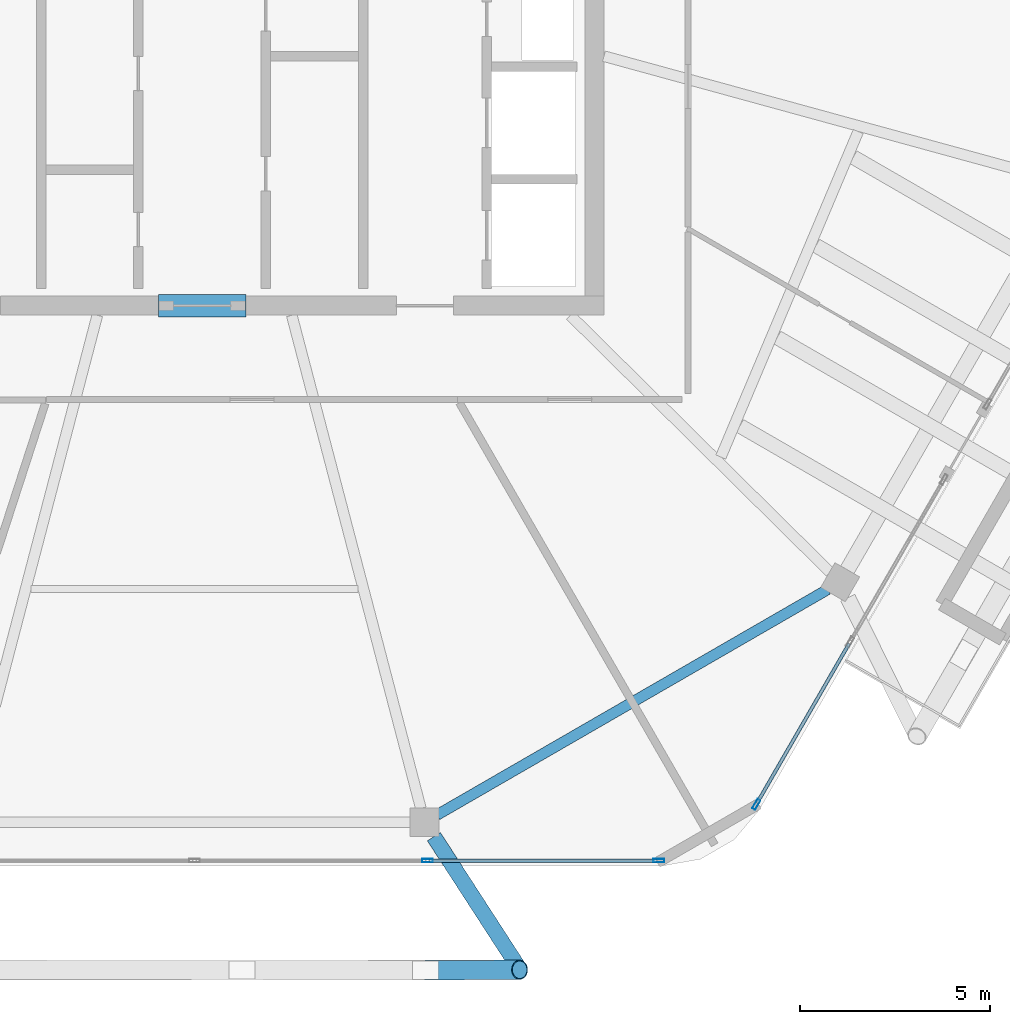
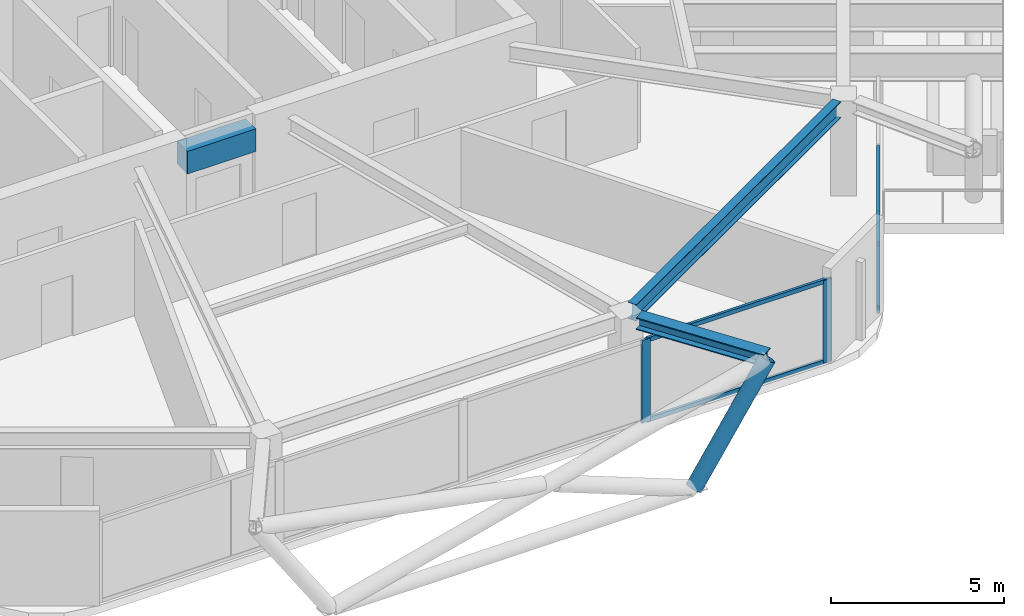
# One storey, part 7 of 23: 8 members, 3 beams, 2 elements without a shape of their own.
"""IFC4 building model written with IfcOpenShell, lengths in metres."""

from ifc_helpers import new_model, si_unit, direction, frame, origin, origin_2d, place, context, subcontext, project, spatial, rectangle, hollow_rectangle, hollow_circle, i_section, extrude, material, material_profile, profile_set, type_object, element, aggregate, save


model = new_model("IFC4")

# Units and contexts
model_context = context("Model", 3, precision=1e-05, world=origin(), true_north=direction((0.0, 1.0)))
body_context = subcontext(model_context, "Body", "Model", "MODEL_VIEW")
ifc_project = project(units=[si_unit("LENGTHUNIT", "METRE"), si_unit("AREAUNIT", "SQUARE_METRE"), si_unit("VOLUMEUNIT", "CUBIC_METRE"), si_unit("PLANEANGLEUNIT", "RADIAN"), si_unit("MASSUNIT", "GRAM", prefix="KILO")], contexts=[model_context])

# Site, building, storey
site_placement = place(None, origin())
site = spatial("IfcSite", under=ifc_project, at=site_placement, CompositionType="ELEMENT")
building_placement = place(site_placement, origin())
building = spatial("IfcBuilding", under=site, at=building_placement, Name="Zuhravey Tower", CompositionType="ELEMENT")
storey_placement = place(building_placement, frame((0.0, 0.0, 353.800048828125)))
storey = spatial("IfcBuildingStorey", under=building, at=storey_placement, Name="L90", CompositionType="ELEMENT", Elevation=353.800048828125)

# Beam
ifc_material_1 = material(Name="Concrete C50/60", Category="concrete")
ifc_material_profile_1 = material_profile(ifc_material_1, rectangle(XDim=0.60009765625, YDim=0.800048828125, at=origin_2d()), Name="RC-600x800")
ifc_profile_set_1 = profile_set([ifc_material_profile_1], Name="Concrete C50/60")
beam_type_1 = type_object("IfcBeamType", Name="Core Coupling Beam RC600x800", PredefinedType="LINTEL", material=ifc_profile_set_1)
beam_1_placement = place(storey_placement, frame((35.052001953125, 22.5, 2.949951171875), z_axis=(1.0, 0.0, 0.0), x_axis=(0.0, 1.0, 0.0)))
element("IfcBeam", 1, at=beam_1_placement, inside=storey, type_object=beam_type_1, Name="L90 CB2 BM-L90-CB-S", PredefinedType="LINTEL", context=body_context, shape_type="SweptSolid", body=[
    extrude(rectangle(XDim=0.60009765625, YDim=0.800048828125, at=origin_2d()), origin(), (0.0, 0.0, 1.0), 2.2958984375),
])

# Curtain wall, member
ifc_material_2 = material(Name="Thermally broken anodised aluminium", Category="aluminium")
curtain_wall_type = type_object("IfcCurtainWallType", Name="Zone 3-4 High-Rise Curtain Wall CW4", PredefinedType="NOTDEFINED", material=ifc_material_2)
curtain_wall_1_placement = place(storey_placement, origin())
curtain_wall_1 = element("IfcCurtainWall", 2, at=curtain_wall_1_placement, inside=storey, type_object=curtain_wall_type, Name="L90 CW4 CW-L90-F6-2", PredefinedType="NOTDEFINED")
ifc_material_3 = material(Name="Anodised aluminium", Category="aluminium")
ifc_material_profile_2 = material_profile(ifc_material_3, hollow_rectangle(XDim=0.090087890625, YDim=0.284912109375, WallThickness=0.0048828125, at=origin_2d()), Name="ALU-RHS-90x285x5")
ifc_profile_set_2 = profile_set([ifc_material_profile_2], Name="Anodised aluminium")
member_type_1 = type_object("IfcMemberType", Name="Curtain-Wall Mullion 90x180", PredefinedType="MULLION", material=ifc_profile_set_2)
member_1_placement = place(storey_placement, frame((50.751708984375, 9.40234375, 0.0), z_axis=(0.0, 0.0, 1.0), x_axis=(0.866023570197, -0.500003175854, 0.0)))
member_1 = element("IfcMember", 3, at=member_1_placement, type_object=member_type_1, Name="CW4 mullion 3", PredefinedType="MULLION", context=body_context, shape_type="SweptSolid", body=[
    extrude(hollow_rectangle(XDim=0.090087890625, YDim=0.284912109375, WallThickness=0.0048828125, at=origin_2d()), origin(), (0.0, 0.0, 1.0), 2.3798828125),
])

# Curtain wall, members
curtain_wall_2_placement = place(storey_placement, origin())
curtain_wall_2 = element("IfcCurtainWall", 4, at=curtain_wall_2_placement, inside=storey, type_object=curtain_wall_type, Name="L90 CW4 CW-L90-F5-1", PredefinedType="NOTDEFINED")
member_2_placement = place(storey_placement, frame((48.1943359375, 7.92578125, 0.0), z_axis=(0.0, 0.0, 1.0), x_axis=(0.0, -1.0, 0.0)))
member_2 = element("IfcMember", 5, at=member_2_placement, type_object=member_type_1, Name="CW4 mullion 1", PredefinedType="MULLION", context=body_context, shape_type="SweptSolid", body=[
    extrude(hollow_rectangle(XDim=0.090087890625, YDim=0.284912109375, WallThickness=0.0048828125, at=origin_2d()), origin(), (0.0, 0.0, 1.0), 2.921875),
])
member_3_placement = place(storey_placement, frame((42.11962890625, 7.92578125, 0.0), z_axis=(0.0, 0.0, 1.0), x_axis=(0.0, -1.0, 0.0)))
member_3 = element("IfcMember", 6, at=member_3_placement, type_object=member_type_1, Name="CW4 mullion 2", PredefinedType="MULLION", context=body_context, shape_type="SweptSolid", body=[
    extrude(hollow_rectangle(XDim=0.090087890625, YDim=0.284912109375, WallThickness=0.0048828125, at=origin_2d()), origin(), (0.0, 0.0, 1.0), 2.921875),
])

# Member
ifc_material_profile_3 = material_profile(ifc_material_3, hollow_rectangle(XDim=0.090087890625, YDim=0.14990234375, WallThickness=0.0048828125, at=origin_2d()), Name="ALU-RHS-90x150x5")
ifc_profile_set_3 = profile_set([ifc_material_profile_3], Name="Anodised aluminium")
member_type_2 = type_object("IfcMemberType", Name="Curtain-Wall Transom 90x150", PredefinedType="USERDEFINED", material=ifc_profile_set_3)
member_4_placement = place(storey_placement, frame((53.19140625, 13.628173828125, 0.044921875), z_axis=(-0.50000076635, -0.866024961331, 0.0), x_axis=(0.866024961331, -0.50000076635, 0.0)))
member_4 = element("IfcMember", 7, at=member_4_placement, type_object=member_type_2, Name="CW4 transom 2.1", ObjectType="TRANSOM", PredefinedType="USERDEFINED", context=body_context, shape_type="SweptSolid", body=[
    extrude(hollow_rectangle(XDim=0.090087890625, YDim=0.14990234375, WallThickness=0.0048828125, at=origin_2d()), origin(), (0.0, 0.0, 1.0), 4.83447265625),
])

member_5_placement = place(storey_placement, frame((53.19140625, 13.628173828125, 2.3349609375), z_axis=(-0.50000076635, -0.866024961331, 0.0), x_axis=(0.866024961331, -0.50000076635, 0.0)))
member_5 = element("IfcMember", 8, at=member_5_placement, type_object=member_type_2, Name="CW4 transom 2.2", ObjectType="TRANSOM", PredefinedType="USERDEFINED", context=body_context, shape_type="SweptSolid", body=[
    extrude(hollow_rectangle(XDim=0.090087890625, YDim=0.14990234375, WallThickness=0.0048828125, at=origin_2d()), origin(), (0.0, 0.0, 1.0), 4.83447265625),
])

aggregate(curtain_wall_1, [member_1, member_4, member_5])

member_6_placement = place(storey_placement, frame((48.1494140625, 7.92578125, 0.044921875), z_axis=(-1.0, 0.0, 0.0), x_axis=(0.0, -1.0, 0.0)))
member_6 = element("IfcMember", 9, at=member_6_placement, type_object=member_type_2, Name="CW4 transom 1.1", ObjectType="TRANSOM", PredefinedType="USERDEFINED", context=body_context, shape_type="SweptSolid", body=[
    extrude(hollow_rectangle(XDim=0.090087890625, YDim=0.14990234375, WallThickness=0.0048828125, at=origin_2d()), origin(), (0.0, 0.0, 1.0), 5.98486328125),
])

member_7_placement = place(storey_placement, frame((48.1494140625, 7.92578125, 2.876953125), z_axis=(-1.0, 0.0, 0.0), x_axis=(0.0, -1.0, 0.0)))
member_7 = element("IfcMember", 10, at=member_7_placement, type_object=member_type_2, Name="CW4 transom 1.2", ObjectType="TRANSOM", PredefinedType="USERDEFINED", context=body_context, shape_type="SweptSolid", body=[
    extrude(hollow_rectangle(XDim=0.090087890625, YDim=0.14990234375, WallThickness=0.0048828125, at=origin_2d()), origin(), (0.0, 0.0, 1.0), 5.98486328125),
])

aggregate(curtain_wall_2, [member_2, member_3, member_6, member_7])

# Beam
ifc_material_4 = material(Name="Steel SM460", Category="steel")
ifc_material_profile_4 = material_profile(ifc_material_4, i_section(OverallWidth=0.406982421875, OverallDepth=0.427978515625, WebThickness=0.02001953125, FlangeThickness=0.034912109375, at=origin_2d()), Name="H-428x407x20x35")
ifc_profile_set_4 = profile_set([ifc_material_profile_4], Name="Steel SM460")
beam_type_2 = type_object("IfcBeamType", Name="Exoskeleton Node Tie Beam H428x407", PredefinedType="BEAM", material=ifc_profile_set_4)
beam_2_placement = place(storey_placement, frame((42.283935546875, 8.5576171875, 3.135986328125), z_axis=(0.543741302353, -0.839252879718, 0.0), x_axis=(0.839252879718, 0.543741302353, 0.0)))
element("IfcBeam", 11, at=beam_2_placement, inside=storey, type_object=beam_type_2, Name="L90 Exoskeleton Node Tie NT1-10", PredefinedType="BEAM", context=body_context, shape_type="SweptSolid", body=[
    extrude(i_section(OverallWidth=0.406982421875, OverallDepth=0.427978515625, WebThickness=0.02001953125, FlangeThickness=0.034912109375, at=origin_2d()), origin(), (0.0, 0.0, 1.0), 4.1513671875),
])

# Member
ifc_material_5 = material(Name="Steel SM355", Category="steel")
ifc_material_profile_5 = material_profile(ifc_material_5, hollow_circle(Radius=0.25390625, WallThickness=0.02490234375, at=origin_2d()), Name="CHS-508.0x25")
ifc_profile_set_5 = profile_set([ifc_material_profile_5], Name="Steel SM355")
member_type_3 = type_object("IfcMemberType", Name="Exoskeleton Zone 4 Diagrid CHS508x25", PredefinedType="BRACE", material=ifc_profile_set_5)
member_8_placement = place(storey_placement, frame((42.078125, 5.0458984375, -0.5830078125), z_axis=(0.553467274431, 0.00334968784, 0.832864188044), x_axis=(-0.006052076877, 0.999981686015, 0.0)))
element("IfcMember", 12, at=member_8_placement, inside=storey, type_object=member_type_3, Name="L90 Face 5 Diagrid Brace 4", PredefinedType="BRACE", context=body_context, shape_type="SweptSolid", body=[
    extrude(hollow_circle(Radius=0.25390625, WallThickness=0.02490234375, at=origin_2d()), origin(), (0.0, 0.0, 1.0), 4.446044921875),
])

# Beam
ifc_material_profile_6 = material_profile(ifc_material_5, i_section(OverallWidth=0.280029296875, OverallDepth=0.580078125, WebThickness=0.011962890625, FlangeThickness=0.01904296875, at=origin_2d()), Name="H-580x280x12x19")
ifc_profile_set_6 = profile_set([ifc_material_profile_6], Name="Steel SM355")
beam_type_3 = type_object("IfcBeamType", Name="Perimeter Ring Beam H580x280", PredefinedType="BEAM", material=ifc_profile_set_6)
beam_3_placement = place(storey_placement, frame((42.365966796875, 9.125, 3.06005859375), z_axis=(0.866030838723, 0.499990586292, 0.0), x_axis=(-0.499990586292, 0.866030838723, 0.0)))
element("IfcBeam", 13, at=beam_3_placement, inside=storey, type_object=beam_type_3, Name="L90 PB4 BM-L90-PB-10", PredefinedType="BEAM", context=body_context, shape_type="SweptSolid", body=[
    extrude(i_section(OverallWidth=0.280029296875, OverallDepth=0.580078125, WebThickness=0.011962890625, FlangeThickness=0.01904296875, at=origin_2d()), origin(), (0.0, 0.0, 1.0), 11.848876953125),
])

save(model, "model.ifc")
